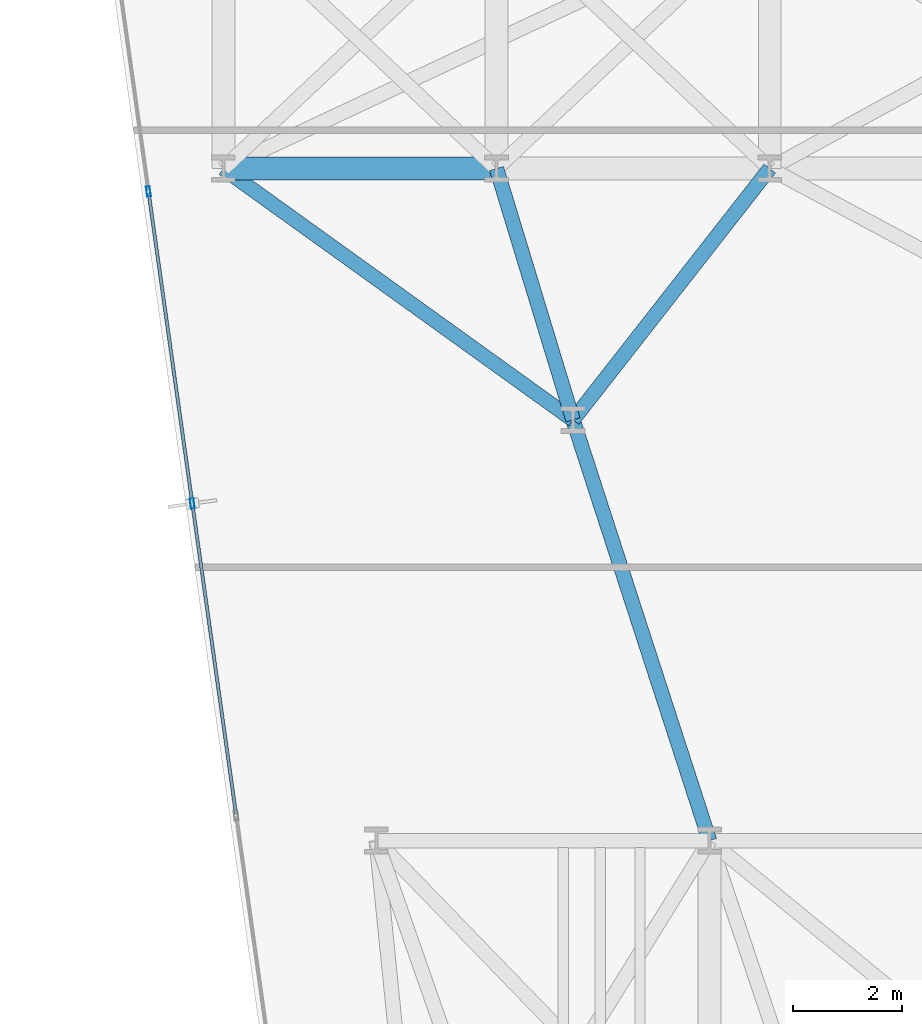
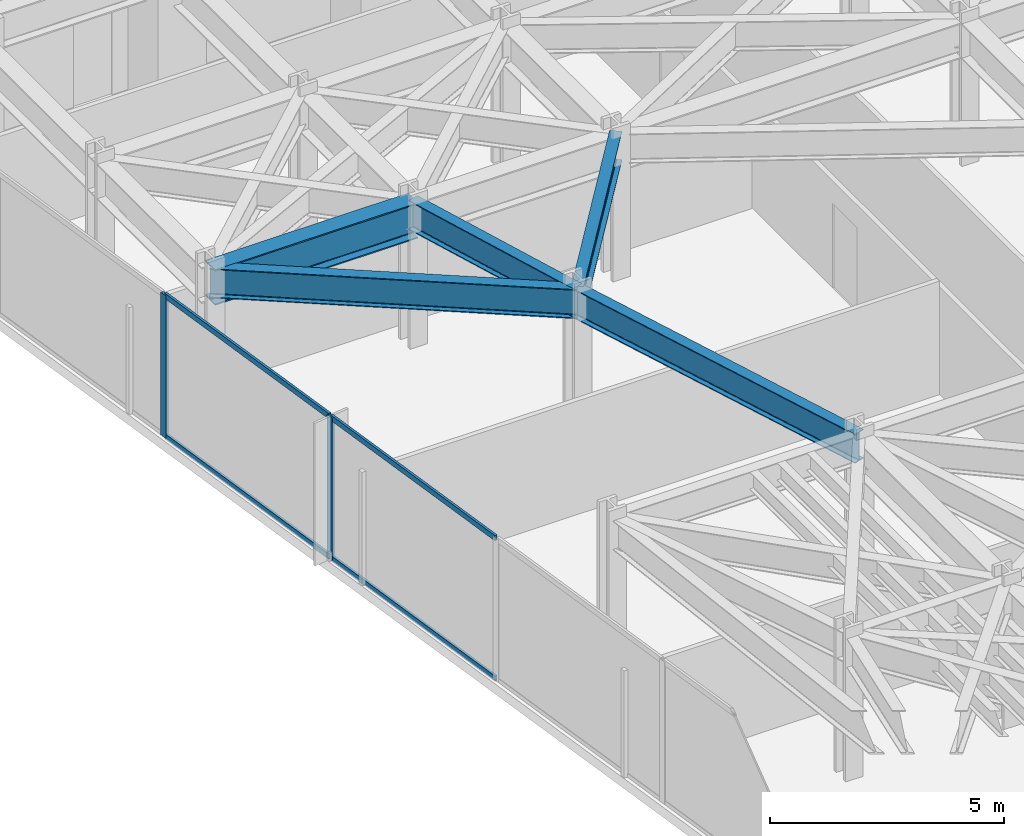
# One storey, part 7 of 25: 6 members, 5 beams, 1 element without a shape of its own.
"""IFC4 building model written with IfcOpenShell, lengths in metres."""

from ifc_helpers import new_model, si_unit, direction, frame, origin, origin_2d, place, context, subcontext, project, spatial, hollow_rectangle, i_section, extrude, material, layer, layer_set, material_profile, profile_set, type_object, element, aggregate, save


model = new_model("IFC4")

# Units and contexts
model_context = context("Model", 3, precision=1e-05, world=origin(), true_north=direction((0.0, 1.0)))
body_context = subcontext(model_context, "Body", "Model", "MODEL_VIEW")
ifc_project = project(units=[si_unit("LENGTHUNIT", "METRE"), si_unit("AREAUNIT", "SQUARE_METRE"), si_unit("VOLUMEUNIT", "CUBIC_METRE"), si_unit("PLANEANGLEUNIT", "RADIAN"), si_unit("MASSUNIT", "GRAM", prefix="KILO")], contexts=[model_context])

# Site, building, storey
site_placement = place(None, origin())
site = spatial("IfcSite", under=ifc_project, at=site_placement, CompositionType="ELEMENT")
building_placement = place(site_placement, origin())
building = spatial("IfcBuilding", under=site, at=building_placement, Name="Kravanh Interchange Tower", CompositionType="ELEMENT")
storey_placement = place(building_placement, frame((0.0, 0.0, 81.5)))
storey = spatial("IfcBuildingStorey", under=building, at=storey_placement, Name="L19", CompositionType="ELEMENT", Elevation=81.5)

# Curtain wall, members
ifc_material_1 = material(Name="Anodised Bronze Aluminium", Category="aluminium")
ifc_layer = layer(ifc_material_1, 0.179931640625)
ifc_layer_set = layer_set([ifc_layer], Name="Unitised Curtain Wall System CW-Z1 Lower Office")
curtain_wall_type = type_object("IfcCurtainWallType", Name="Unitised Curtain Wall System CW-Z1 Lower Office", PredefinedType="NOTDEFINED", material=ifc_layer_set)
curtain_wall_placement = place(storey_placement, origin())
curtain_wall = element("IfcCurtainWall", 1, at=curtain_wall_placement, inside=storey, type_object=curtain_wall_type, Name="L19 Unitised Curtain Wall CW-L19-01", PredefinedType="NOTDEFINED")
ifc_material_2 = material(Name="Anodised Bronze Aluminium", Category="aluminium")
ifc_material_profile_1 = material_profile(ifc_material_2, hollow_rectangle(XDim=0.070068359375, YDim=0.179931640625, WallThickness=0.00390625, at=origin_2d()), Name="ALU70X180X4")
ifc_profile_set_1 = profile_set([ifc_material_profile_1], Name="Anodised Bronze Aluminium")
member_type_1 = type_object("IfcMemberType", Name="Curtain Wall Mullion ALU70X180X4 Bronze", PredefinedType="MULLION", material=ifc_profile_set_1)
member_1_placement = place(storey_placement, frame((8.03271484375, 20.66845703125, 0.0), z_axis=(0.0, 0.0, 1.0), x_axis=(-0.990267585682, -0.139176538065, 0.0)))
member_1 = element("IfcMember", 2, at=member_1_placement, type_object=member_type_1, Name="CW-Z1 mullion 4", PredefinedType="MULLION", context=body_context, shape_type="SweptSolid", body=[
    extrude(hollow_rectangle(XDim=0.070068359375, YDim=0.179931640625, WallThickness=0.00390625, at=origin_2d()), origin(), (0.0, 0.0, 1.0), 3.719970703125),
])
member_2_placement = place(storey_placement, frame((7.22998046875, 26.37890625, 0.0), z_axis=(0.0, 0.0, 1.0), x_axis=(-0.990267585682, -0.139176538065, 0.0)))
member_2 = element("IfcMember", 3, at=member_2_placement, type_object=member_type_1, Name="CW-Z1 mullion 5", PredefinedType="MULLION", context=body_context, shape_type="SweptSolid", body=[
    extrude(hollow_rectangle(XDim=0.070068359375, YDim=0.179931640625, WallThickness=0.00390625, at=origin_2d()), origin(), (0.0, 0.0, 1.0), 3.719970703125),
])
ifc_material_3 = material(Name="Anodised Bronze Aluminium", Category="aluminium")
ifc_material_profile_2 = material_profile(ifc_material_3, hollow_rectangle(XDim=0.06005859375, YDim=0.139892578125, WallThickness=0.00390625, at=origin_2d()), Name="ALU60X140X4")
ifc_profile_set_2 = profile_set([ifc_material_profile_2], Name="Anodised Bronze Aluminium")
member_type_2 = type_object("IfcMemberType", Name="Curtain Wall Transom ALU60X140X4 Bronze", PredefinedType="USERDEFINED", material=ifc_profile_set_2)
member_3_placement = place(storey_placement, frame((8.830322265625, 14.992431640625, 0.030029296875), z_axis=(-0.139153051789, 0.990270886262, 0.0), x_axis=(-0.990270886262, -0.139153051789, 0.0)))
member_3 = element("IfcMember", 4, at=member_3_placement, type_object=member_type_2, Name="CW-Z1 transom 3.1", ObjectType="TRANSOM", PredefinedType="USERDEFINED", context=body_context, shape_type="SweptSolid", body=[
    extrude(hollow_rectangle(XDim=0.06005859375, YDim=0.139892578125, WallThickness=0.00390625, at=origin_2d()), origin(), (0.0, 0.0, 1.0), 5.69677734375),
])
member_4_placement = place(storey_placement, frame((8.830322265625, 14.992431640625, 3.68994140625), z_axis=(-0.139153051789, 0.990270886262, 0.0), x_axis=(-0.990270886262, -0.139153051789, 0.0)))
member_4 = element("IfcMember", 5, at=member_4_placement, type_object=member_type_2, Name="CW-Z1 transom 3.2", ObjectType="TRANSOM", PredefinedType="USERDEFINED", context=body_context, shape_type="SweptSolid", body=[
    extrude(hollow_rectangle(XDim=0.06005859375, YDim=0.139892578125, WallThickness=0.00390625, at=origin_2d()), origin(), (0.0, 0.0, 1.0), 5.69677734375),
])
member_5_placement = place(storey_placement, frame((8.02783203125, 20.703125, 0.030029296875), z_axis=(-0.139200984921, 0.990264149506, 0.0), x_axis=(-0.990264149506, -0.139200984921, 0.0)))
member_5 = element("IfcMember", 6, at=member_5_placement, type_object=member_type_2, Name="CW-Z1 transom 4.1", ObjectType="TRANSOM", PredefinedType="USERDEFINED", context=body_context, shape_type="SweptSolid", body=[
    extrude(hollow_rectangle(XDim=0.06005859375, YDim=0.139892578125, WallThickness=0.00390625, at=origin_2d()), origin(), (0.0, 0.0, 1.0), 5.696533203125),
])
member_6_placement = place(storey_placement, frame((8.02783203125, 20.703125, 3.68994140625), z_axis=(-0.139200984921, 0.990264149506, 0.0), x_axis=(-0.990264149506, -0.139200984921, 0.0)))
member_6 = element("IfcMember", 7, at=member_6_placement, type_object=member_type_2, Name="CW-Z1 transom 4.2", ObjectType="TRANSOM", PredefinedType="USERDEFINED", context=body_context, shape_type="SweptSolid", body=[
    extrude(hollow_rectangle(XDim=0.06005859375, YDim=0.139892578125, WallThickness=0.00390625, at=origin_2d()), origin(), (0.0, 0.0, 1.0), 5.696533203125),
])
aggregate(curtain_wall, [member_1, member_2, member_3, member_4, member_5, member_6])

# Beams
ifc_material_4 = material(Name="Structural Steel S355", Category="steel")
ifc_material_profile_3 = material_profile(ifc_material_4, i_section(OverallWidth=0.41796875, OverallDepth=0.927001953125, WebThickness=0.019287109375, FlangeThickness=0.031982421875, FilletRadius=0.028076171875, at=origin_2d()), Name="W36X231")
ifc_profile_set_3 = profile_set([ifc_material_profile_3], Name="Structural Steel S355")
beam_type_1 = type_object("IfcBeamType", Name="Floor Beam W36X231 Structural Steel S355", PredefinedType="BEAM", material=ifc_profile_set_3)
beam_1_placement = place(storey_placement, frame((8.60009765625, 26.800048828125, 3.256591796875), z_axis=(1.0, 0.0, 0.0), x_axis=(0.0, 1.0, 0.0)))
element("IfcBeam", 8, at=beam_1_placement, inside=storey, type_object=beam_type_1, Name="L19 Primary Floor Girder 67", PredefinedType="BEAM", context=body_context, shape_type="SweptSolid", body=[
    extrude(i_section(OverallWidth=0.41796875, OverallDepth=0.927001953125, WebThickness=0.019287109375, FlangeThickness=0.031982421875, FilletRadius=0.028076171875, at=origin_2d()), origin(), (0.0, 0.0, 1.0), 5.0),
])
ifc_material_5 = material(Name="Structural Steel S355", Category="steel")
ifc_material_profile_4 = material_profile(ifc_material_5, i_section(OverallWidth=0.26708984375, OverallDepth=0.761962890625, WebThickness=0.014404296875, FlangeThickness=0.021484375, FilletRadius=0.02490234375, at=origin_2d()), Name="W30X116")
ifc_profile_set_4 = profile_set([ifc_material_profile_4], Name="Structural Steel S355")
beam_type_2 = type_object("IfcBeamType", Name="Floor Spandrel W30X116 Structural Steel S355", PredefinedType="SPANDREL", material=ifc_profile_set_4)
beam_2_placement = place(storey_placement, frame((15.0, 22.199951171875, 3.339111328125), z_axis=(-0.291137370727, 0.956681259023, 0.0), x_axis=(-0.956681259023, -0.291137370727, 0.0)))
element("IfcBeam", 9, at=beam_2_placement, inside=storey, type_object=beam_type_2, Name="L19 Perimeter Spandrel 50", PredefinedType="SPANDREL", context=body_context, shape_type="SweptSolid", body=[
    extrude(i_section(OverallWidth=0.26708984375, OverallDepth=0.761962890625, WebThickness=0.014404296875, FlangeThickness=0.021484375, FilletRadius=0.02490234375, at=origin_2d()), origin(), (0.0, 0.0, 1.0), 4.808349609375),
])
beam_3_placement = place(storey_placement, frame((15.0, 22.199951171875, 3.339111328125), z_axis=(0.616310515553, 0.787503237085, 0.0), x_axis=(-0.787503237085, 0.616310515553, 0.0)))
element("IfcBeam", 10, at=beam_3_placement, inside=storey, type_object=beam_type_2, Name="L19 Perimeter Spandrel 51", PredefinedType="SPANDREL", context=body_context, shape_type="SweptSolid", body=[
    extrude(i_section(OverallWidth=0.26708984375, OverallDepth=0.761962890625, WebThickness=0.014404296875, FlangeThickness=0.021484375, FilletRadius=0.02490234375, at=origin_2d()), origin(), (0.0, 0.0, 1.0), 5.84130859375),
])
beam_4_placement = place(storey_placement, frame((15.0, 22.199951171875, 3.339111328125), z_axis=(-0.812005278585, 0.583650089994, 0.0), x_axis=(-0.583650089994, -0.812005278585, 0.0)))
element("IfcBeam", 11, at=beam_4_placement, inside=storey, type_object=beam_type_2, Name="L19 Perimeter Spandrel 52", PredefinedType="SPANDREL", context=body_context, shape_type="SweptSolid", body=[
    extrude(i_section(OverallWidth=0.26708984375, OverallDepth=0.761962890625, WebThickness=0.014404296875, FlangeThickness=0.021484375, FilletRadius=0.02490234375, at=origin_2d()), origin(), (0.0, 0.0, 1.0), 7.881591796875),
])
beam_5_placement = place(storey_placement, frame((15.0, 22.199951171875, 3.339111328125), z_axis=(0.30880852537, -0.951124226723, 0.0), x_axis=(0.951124226723, 0.30880852537, 0.0)))
element("IfcBeam", 12, at=beam_5_placement, inside=storey, type_object=beam_type_2, Name="L19 Perimeter Spandrel 53", PredefinedType="SPANDREL", context=body_context, shape_type="SweptSolid", body=[
    extrude(i_section(OverallWidth=0.26708984375, OverallDepth=0.761962890625, WebThickness=0.014404296875, FlangeThickness=0.021484375, FilletRadius=0.02490234375, at=origin_2d()), origin(), (0.0, 0.0, 1.0), 8.095703125),
])

save(model, "model.ifc")
